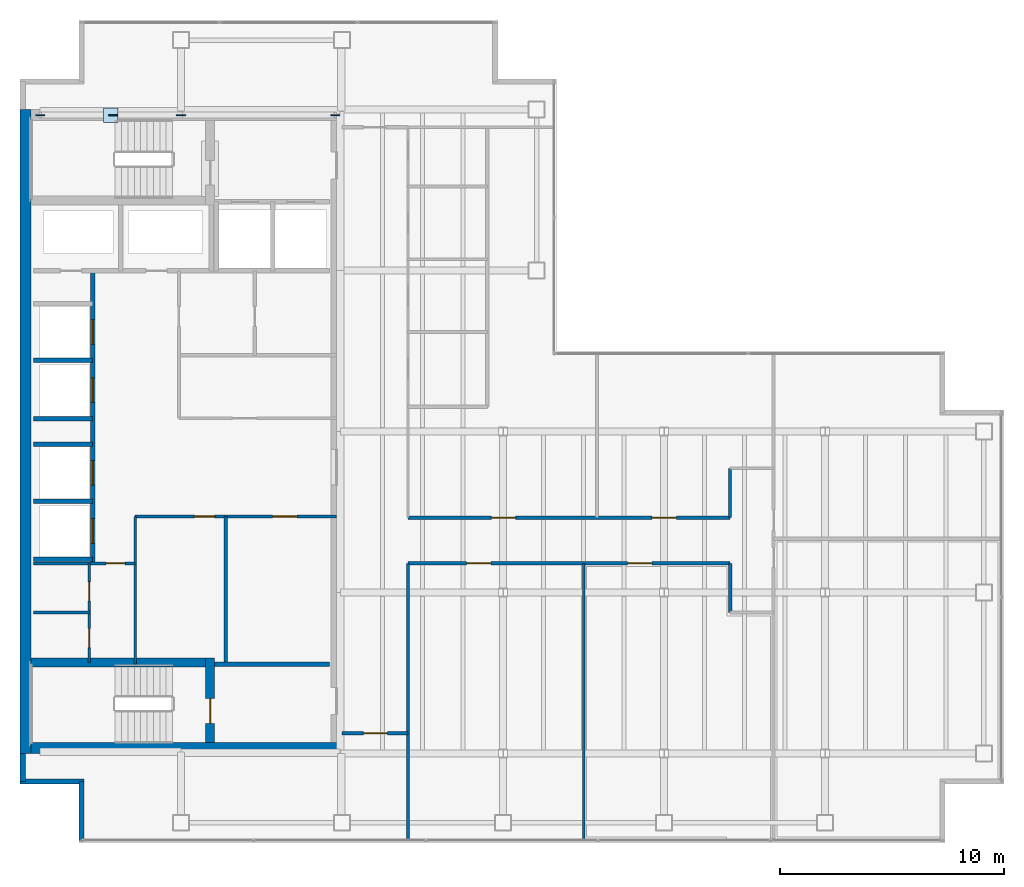
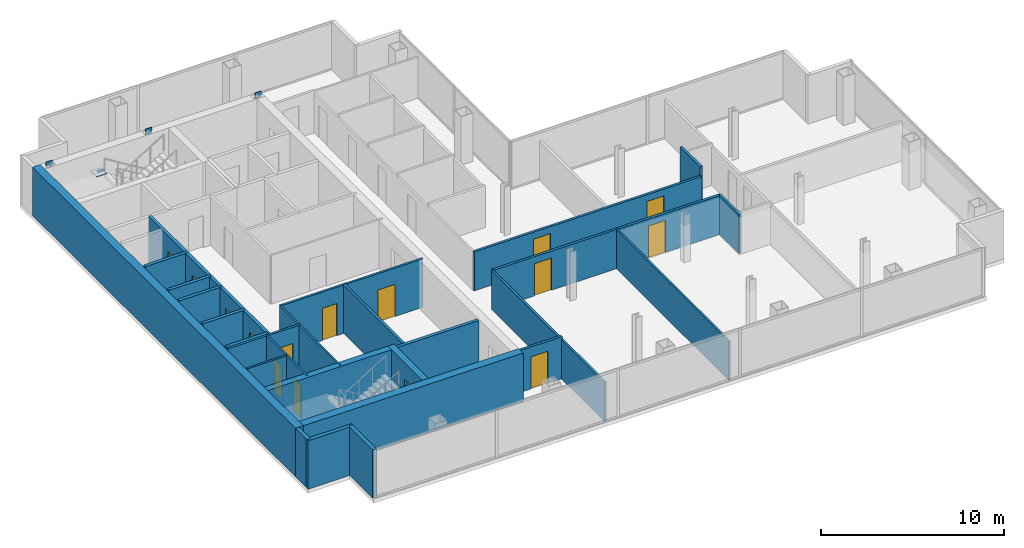
# One storey, part 20 of 23: 28 walls, 15 doors, 5 plates, 15 openings.
"""IFC4 building model written with IfcOpenShell, lengths in metres."""

from ifc_helpers import new_model, si_unit, direction, frame, frame_2d, origin, origin_2d, place, context, subcontext, project, spatial, rectangle, extrude, material, layer, layer_set, type_object, element, fill, save


model = new_model("IFC4")

# Units and contexts
model_context = context("Model", 3, precision=1e-05, world=origin(), true_north=direction((0.0, 1.0)))
body_context = subcontext(model_context, "Body", "Model", "MODEL_VIEW")
ifc_project = project(units=[si_unit("LENGTHUNIT", "METRE"), si_unit("AREAUNIT", "SQUARE_METRE"), si_unit("VOLUMEUNIT", "CUBIC_METRE"), si_unit("PLANEANGLEUNIT", "RADIAN"), si_unit("MASSUNIT", "GRAM", prefix="KILO")], contexts=[model_context])

# Site, building, storey
site_placement = place(None, origin())
site = spatial("IfcSite", under=ifc_project, at=site_placement, CompositionType="ELEMENT")
building_placement = place(site_placement, origin())
building = spatial("IfcBuilding", under=site, at=building_placement, Name="Cobrela Telecom Tower", CompositionType="ELEMENT")
storey_placement = place(building_placement, frame((0.0, 0.0, 208.25)))
storey = spatial("IfcBuildingStorey", under=building, at=storey_placement, Name="L53", CompositionType="ELEMENT", Elevation=208.25)

# Plates
ifc_material_1 = material(Name="Steel ASTM A572 Grade 50", Category="steel")
ifc_layer_1 = layer(ifc_material_1, 0.0419921875)
ifc_layer_set_1 = layer_set([ifc_layer_1], Name="Steel ASTM A572 Grade 50")
plate_type = type_object("IfcPlateType", Name="PLT-NODE-ND1", PredefinedType="USERDEFINED", material=ifc_layer_set_1)
for number, where, z_axis, x_axis, name in (
    (1, (7.199951171875, 35.75, 3.0751953125), (0.0, 0.0, 1.0), (1.0, 0.0, 0.0), "Steel node plate PLT-MBR-EXO-L53-N1-A-1"),
    (2, (4.173828125, 35.75, 1.349609375), (0.0, 0.0, 1.0), (-1.0, 0.0, 0.0), "Steel node plate PLT-MBR-EXO-L53-N1-B1-1"),
    (3, (0.89990234375, 35.75, 3.0751953125), (0.0, 0.0, 1.0), (-1.0, 0.0, 0.0), "Steel node plate PLT-MBR-EXO-L53-N1-B2-1"),
):
    element("IfcPlate", number, at=place(storey_placement, frame(where, z_axis=z_axis, x_axis=x_axis)), inside=storey, type_object=plate_type, Name=name, ObjectType="GUSSET PLATE", PredefinedType="USERDEFINED", context=body_context, shape_type="SweptSolid", body=[
        extrude(rectangle(XDim=0.409912109375, YDim=0.044921875, at=origin_2d()), origin(), (0.0, 0.0, 1.0), 0.409912109375),
    ])
plate_1_placement = place(storey_placement, frame((4.050048828125, 35.75, 1.59765625), z_axis=(0.0, 0.0, 1.0), x_axis=(1.0, 0.0, 0.0)))
element("IfcPlate", 4, at=plate_1_placement, inside=storey, type_object=plate_type, Name="L53 Core Flange Steel X-Brace Central X-Crossing Gusset Plate", ObjectType="GUSSET PLATE", PredefinedType="USERDEFINED", context=body_context, shape_type="SweptSolid", body=[
    extrude(rectangle(XDim=0.64990234375, YDim=0.64990234375, at=origin_2d()), origin(), (0.0, 0.0, 1.0), 0.044921875),
])
plate_2_placement = place(storey_placement, frame((14.10009765625, 35.75, 3.0751953125), z_axis=(0.0, 0.0, 1.0), x_axis=(1.0, 0.0, 0.0)))
element("IfcPlate", 5, at=plate_2_placement, inside=storey, type_object=plate_type, Name="Steel node plate PLT-MBR-EXO-L53-N2-1", ObjectType="GUSSET PLATE", PredefinedType="USERDEFINED", context=body_context, shape_type="SweptSolid", body=[
    extrude(rectangle(XDim=0.409912109375, YDim=0.044921875, at=origin_2d()), origin(), (0.0, 0.0, 1.0), 0.409912109375),
])

# Walls
ifc_material_2 = material(Name="Concrete C40/50", Category="concrete")
ifc_layer_2 = layer(ifc_material_2, 0.5)
ifc_layer_set_2 = layer_set([ifc_layer_2], Name="Concrete C40/50")
wall_type_1 = type_object("IfcWallType", Name="WALL-CORE-C40-500", PredefinedType="SHEAR", material=ifc_layer_set_2)
wall_1_placement = place(storey_placement, frame((0.25, 7.199951171875, 0.0), z_axis=(0.0, 0.0, 1.0), x_axis=(0.0, 1.0, 0.0)))
element("IfcWall", 6, at=wall_1_placement, inside=storey, type_object=wall_type_1, Name="L53 West Core Shear Wall", PredefinedType="SHEAR", context=body_context, shape_type="SweptSolid", body=[
    extrude(rectangle(XDim=28.800048828125, YDim=0.5, at=frame_2d((14.39990234375, 0.0))), origin(), (0.0, 0.0, 1.0), 3.239990234375),
])
wall_2_placement = place(storey_placement, frame((0.5, 7.449951171875, 0.0), z_axis=(0.0, 0.0, 1.0), x_axis=(1.0, 0.0, 0.0)))
element("IfcWall", 7, at=wall_2_placement, inside=storey, type_object=wall_type_1, Name="L53 South Core Shear Wall", PredefinedType="SHEAR", context=body_context, shape_type="SweptSolid", body=[
    extrude(rectangle(XDim=13.89990234375, YDim=0.5, at=frame_2d((6.949951171875, 0.0))), origin(), (0.0, 0.0, 1.0), 3.239990234375),
])
ifc_layer_3 = layer(ifc_material_2, 0.239990234375)
ifc_layer_set_3 = layer_set([ifc_layer_3], Name="Concrete C40/50")
wall_type_2 = type_object("IfcWallType", Name="WALL-EXT-300", PredefinedType="STANDARD", material=ifc_layer_set_3)
wall_3_placement = place(storey_placement, frame((2.75, 3.320068359375, 0.0), z_axis=(0.0, 0.0, 1.0), x_axis=(0.0, 1.0, 0.0)))
element("IfcWall", 8, at=wall_3_placement, inside=storey, type_object=wall_type_2, Name="L53 Insulated Facade Wall 01", PredefinedType="STANDARD", context=body_context, shape_type="SweptSolid", body=[
    extrude(rectangle(XDim=2.6298828125, YDim=0.239990234375, at=frame_2d((1.31494140625, 0.0))), origin(), (0.0, 0.0, 1.0), 3.239990234375),
])
wall_4_placement = place(storey_placement, frame((2.8701171875, 5.949951171875, 0.0), z_axis=(0.0, 0.0, 1.0), x_axis=(-1.0, 0.0, 0.0)))
element("IfcWall", 9, at=wall_4_placement, inside=storey, type_object=wall_type_2, Name="L53 Insulated Facade Wall 02", PredefinedType="STANDARD", context=body_context, shape_type="SweptSolid", body=[
    extrude(rectangle(XDim=2.8701171875, YDim=0.239990234375, at=frame_2d((1.43505859375, 0.0))), origin(), (0.0, 0.0, 1.0), 3.239990234375),
])
wall_5_placement = place(storey_placement, frame((0.1201171875, 5.949951171875, 0.0), z_axis=(0.0, 0.0, 1.0), x_axis=(0.0, 1.0, 0.0)))
element("IfcWall", 10, at=wall_5_placement, inside=storey, type_object=wall_type_2, Name="L53 Insulated Facade Wall 03", PredefinedType="STANDARD", context=body_context, shape_type="SweptSolid", body=[
    extrude(rectangle(XDim=1.25, YDim=0.239990234375, at=frame_2d((0.625, 0.0))), origin(), (0.0, 0.0, 1.0), 3.239990234375),
])
ifc_material_3 = material(Name="Fire-Rated Gypsum Plasterboard")
ifc_layer_4 = layer(ifc_material_3, 0.110107421875)
ifc_layer_set_4 = layer_set([ifc_layer_4], Name="Fire-Rated Gypsum Plasterboard")
wall_type_3 = type_object("IfcWallType", Name="WALL-PART-110", PredefinedType="PARTITIONING", material=ifc_layer_set_4)
wall_6_placement = place(storey_placement, frame((5.14990234375, 11.199951171875, 0.0), z_axis=(0.0, 0.0, 1.0), x_axis=(0.0, 1.0, 0.0)))
element("IfcWall", 11, at=wall_6_placement, inside=storey, type_object=wall_type_3, Name="L53 Interior Partition CW-RECM-W", PredefinedType="PARTITIONING", context=body_context, shape_type="SweptSolid", body=[
    extrude(rectangle(XDim=6.60009765625, YDim=0.110107421875, at=frame_2d((3.300048828125, 0.0))), origin(), (0.0, 0.0, 1.0), 3.239990234375),
])
wall_7_placement = place(storey_placement, frame((25.199951171875, 3.320068359375, 0.0), z_axis=(0.0, 0.0, 1.0), x_axis=(0.0, 1.0, 0.0)))
element("IfcWall", 12, at=wall_7_placement, inside=storey, type_object=wall_type_3, Name="L53 Interior Partition W-SV-1", PredefinedType="PARTITIONING", context=body_context, shape_type="SweptSolid", body=[
    extrude(rectangle(XDim=12.3798828125, YDim=0.110107421875, at=frame_2d((6.18994140625, 0.0))), origin(), (0.0, 0.0, 1.0), 2.613037109375),
])
ifc_layer_5 = layer(ifc_material_3, 0.125)
ifc_layer_set_5 = layer_set([ifc_layer_5], Name="Fire-Rated Gypsum Plasterboard")
wall_type_4 = type_object("IfcWallType", Name="WALL-PART-125", PredefinedType="PARTITIONING", material=ifc_layer_set_5)
wall_8_placement = place(storey_placement, frame((0.60009765625, 13.5, 0.0), z_axis=(0.0, 0.0, 1.0), x_axis=(1.0, 0.0, 0.0)))
element("IfcWall", 13, at=wall_8_placement, inside=storey, type_object=wall_type_4, Name="L53 Interior Partition CW-FK3-H", PredefinedType="PARTITIONING", context=body_context, shape_type="SweptSolid", body=[
    extrude(rectangle(XDim=2.5, YDim=0.125, at=frame_2d((1.25, 0.0))), origin(), (0.0, 0.0, 1.0), 3.239990234375),
])

# Wall, openings, doors
wall_9_placement = place(storey_placement, frame((3.10009765625, 11.280029296875, 0.0), z_axis=(0.0, 0.0, 1.0), x_axis=(0.0, 1.0, 0.0)))
wall_9 = element("IfcWall", 14, at=wall_9_placement, inside=storey, type_object=wall_type_4, Name="L53 Interior Partition CW-FK3-V", PredefinedType="PARTITIONING", context=body_context, shape_type="SweptSolid", body=[
    extrude(rectangle(XDim=4.419921875, YDim=0.125, at=frame_2d((2.2099609375, 0.0))), origin(), (0.0, 0.0, 1.0), 3.239990234375),
])
opening_1_placement = place(wall_9_placement, frame((0.64990234375, 0.0, 0.0)))
opening_1 = element("IfcOpeningElement", 15, at=opening_1_placement, cuts=wall_9, Name="Opening DR-11", PredefinedType="OPENING", context=body_context, shape_type="SweptSolid", body=[
    extrude(rectangle(XDim=0.85009765625, YDim=2.14990234375, at=frame_2d((0.425048828125, 1.074951171875))), frame((0.0, 0.074462890625, 0.0), z_axis=(0.0, -1.0, 0.0), x_axis=(1.0, 0.0, 0.0)), (0.0, 0.0, 1.0), 0.14892578125),
])
opening_2_placement = place(wall_9_placement, frame((2.75, 0.0, 0.0)))
opening_2 = element("IfcOpeningElement", 16, at=opening_2_placement, cuts=wall_9, Name="Opening DR-11", PredefinedType="OPENING", context=body_context, shape_type="SweptSolid", body=[
    extrude(rectangle(XDim=0.85009765625, YDim=2.14990234375, at=frame_2d((0.425048828125, 1.074951171875))), frame((0.0, 0.074462890625, 0.0), z_axis=(0.0, -1.0, 0.0), x_axis=(1.0, 0.0, 0.0)), (0.0, 0.0, 1.0), 0.14892578125),
])
ifc_material_4 = material(Name="Solid Engineered Oak Timber", Category="wood")
door_type_1 = type_object("IfcDoorType", Name="DOOR-INT-850", OperationType="SINGLE_SWING_LEFT", PredefinedType="DOOR", material=ifc_material_4)
door_1_placement = place(opening_1_placement, origin())
door_1 = element("IfcDoor", 17, at=door_1_placement, inside=storey, type_object=door_type_1, Name="L53 Door DR-11", OperationType="SINGLE_SWING_LEFT", OverallHeight=2.14990234375, OverallWidth=0.85009765625, PredefinedType="DOOR", context=body_context, shape_type="SweptSolid", body=[
    extrude(rectangle(XDim=0.85009765625, YDim=2.14990234375, at=frame_2d((0.425048828125, 1.074951171875))), frame((0.0, 0.02490234375, 0.0), z_axis=(0.0, -1.0, 0.0), x_axis=(1.0, 0.0, 0.0)), (0.0, 0.0, 1.0), 0.050048828125),
])
fill(opening_1, door_1)
door_2_placement = place(opening_2_placement, origin())
door_2 = element("IfcDoor", 18, at=door_2_placement, inside=storey, type_object=door_type_1, Name="L53 Door DR-11", OperationType="SINGLE_SWING_RIGHT", OverallHeight=2.14990234375, OverallWidth=0.85009765625, PredefinedType="DOOR", context=body_context, shape_type="SweptSolid", body=[
    extrude(rectangle(XDim=0.85009765625, YDim=2.14990234375, at=frame_2d((0.425048828125, 1.074951171875))), frame((0.0, 0.02490234375, 0.0), z_axis=(0.0, -1.0, 0.0), x_axis=(1.0, 0.0, 0.0)), (0.0, 0.0, 1.0), 0.050048828125),
])
fill(opening_2, door_2)

ifc_layer_6 = layer(ifc_material_3, 0.135009765625)
ifc_layer_set_6 = layer_set([ifc_layer_6], Name="Fire-Rated Gypsum Plasterboard")
wall_type_5 = type_object("IfcWallType", Name="WALL-PART-135", PredefinedType="PARTITIONING", material=ifc_layer_set_6)
wall_10_placement = place(storey_placement, frame((5.14990234375, 17.800048828125, 0.0), z_axis=(0.0, 0.0, 1.0), x_axis=(1.0, 0.0, 0.0)))
wall_10 = element("IfcWall", 19, at=wall_10_placement, inside=storey, type_object=wall_type_5, Name="L53 Interior Partition CW-RECM-N", PredefinedType="PARTITIONING", context=body_context, shape_type="SweptSolid", body=[
    extrude(rectangle(XDim=9.0, YDim=0.135009765625, at=frame_2d((4.5, 0.0))), origin(), (0.0, 0.0, 1.0), 3.239990234375),
])
opening_3_placement = place(wall_10_placement, frame((2.64990234375, 0.0, 0.0)))
opening_3 = element("IfcOpeningElement", 20, at=opening_3_placement, cuts=wall_10, Name="Opening DR-41", PredefinedType="OPENING", context=body_context, shape_type="SweptSolid", body=[
    extrude(rectangle(XDim=0.89990234375, YDim=2.14990234375, at=frame_2d((0.449951171875, 1.074951171875))), frame((0.0, 0.07958984375, 0.0), z_axis=(0.0, -1.0, 0.0), x_axis=(1.0, 0.0, 0.0)), (0.0, 0.0, 1.0), 0.158935546875),
])
opening_4_placement = place(wall_10_placement, frame((6.14990234375, 0.0, 0.0)))
opening_4 = element("IfcOpeningElement", 21, at=opening_4_placement, cuts=wall_10, Name="Opening DR-63", PredefinedType="OPENING", context=body_context, shape_type="SweptSolid", body=[
    extrude(rectangle(XDim=1.080078125, YDim=2.14990234375, at=frame_2d((0.5400390625, 1.074951171875))), frame((0.0, 0.07958984375, 0.0), z_axis=(0.0, -1.0, 0.0), x_axis=(1.0, 0.0, 0.0)), (0.0, 0.0, 1.0), 0.158935546875),
])
door_type_2 = type_object("IfcDoorType", Name="DOOR-INT-1080", OperationType="SINGLE_SWING_LEFT", PredefinedType="DOOR", material=ifc_material_4)
door_3_placement = place(opening_4_placement, origin())
door_3 = element("IfcDoor", 22, at=door_3_placement, inside=storey, type_object=door_type_2, Name="L53 Door DR-63", OperationType="SINGLE_SWING_RIGHT", OverallHeight=2.14990234375, OverallWidth=1.080078125, PredefinedType="DOOR", context=body_context, shape_type="SweptSolid", body=[
    extrude(rectangle(XDim=1.080078125, YDim=2.14990234375, at=frame_2d((0.5400390625, 1.074951171875))), frame((0.0, 0.02490234375, 0.0), z_axis=(0.0, -1.0, 0.0), x_axis=(1.0, 0.0, 0.0)), (0.0, 0.0, 1.0), 0.050048828125),
])
fill(opening_4, door_3)
door_type_3 = type_object("IfcDoorType", Name="DOOR-INT-900", OperationType="SINGLE_SWING_LEFT", PredefinedType="DOOR", material=ifc_material_4)
door_4_placement = place(opening_3_placement, origin())
door_4 = element("IfcDoor", 23, at=door_4_placement, inside=storey, type_object=door_type_3, Name="L53 Door DR-41", OperationType="SINGLE_SWING_LEFT", OverallHeight=2.14990234375, OverallWidth=0.89990234375, PredefinedType="DOOR", context=body_context, shape_type="SweptSolid", body=[
    extrude(rectangle(XDim=0.89990234375, YDim=2.14990234375, at=frame_2d((0.449951171875, 1.074951171875))), frame((0.0, 0.02490234375, 0.0), z_axis=(0.0, -1.0, 0.0), x_axis=(1.0, 0.0, 0.0)), (0.0, 0.0, 1.0), 0.050048828125),
])
fill(opening_3, door_4)

# Walls
wall_11_placement = place(storey_placement, frame((17.35009765625, 8.10009765625, 0.0), z_axis=(0.0, 0.0, 1.0), x_axis=(0.0, 1.0, 0.0)))
element("IfcWall", 24, at=wall_11_placement, inside=storey, type_object=wall_type_5, Name="L53 Interior Partition W-C-E1", PredefinedType="PARTITIONING", context=body_context, shape_type="SweptSolid", body=[
    extrude(rectangle(XDim=7.599853515625, YDim=0.135009765625, at=frame_2d((3.7998046875, 0.0))), origin(), (0.0, 0.0, 1.0), 2.613037109375),
])
wall_12_placement = place(storey_placement, frame((17.35009765625, 3.320068359375, 0.0), z_axis=(0.0, 0.0, 1.0), x_axis=(0.0, 1.0, 0.0)))
element("IfcWall", 25, at=wall_12_placement, inside=storey, type_object=wall_type_5, Name="L53 Interior Partition W-SW-E", PredefinedType="PARTITIONING", context=body_context, shape_type="SweptSolid", body=[
    extrude(rectangle(XDim=4.780029296875, YDim=0.135009765625, at=frame_2d((2.39013671875, 0.0))), origin(), (0.0, 0.0, 1.0), 2.613037109375),
])

# Wall, opening, door
ifc_layer_7 = layer(ifc_material_3, 0.14990234375)
ifc_layer_set_7 = layer_set([ifc_layer_7], Name="Fire-Rated Gypsum Plasterboard")
wall_type_6 = type_object("IfcWallType", Name="WALL-PART-150", PredefinedType="PARTITIONING", material=ifc_layer_set_7)
wall_13_placement = place(storey_placement, frame((0.60009765625, 15.699951171875, 0.0), z_axis=(0.0, 0.0, 1.0), x_axis=(1.0, 0.0, 0.0)))
wall_13 = element("IfcWall", 26, at=wall_13_placement, inside=storey, type_object=wall_type_6, Name="L53 Interior Partition CW-FLEX-N", PredefinedType="PARTITIONING", context=body_context, shape_type="SweptSolid", body=[
    extrude(rectangle(XDim=4.5498046875, YDim=0.14990234375, at=frame_2d((2.27490234375, 0.0))), origin(), (0.0, 0.0, 1.0), 3.239990234375),
])
opening_5_placement = place(wall_13_placement, frame((3.25, 0.0, 0.0)))
opening_5 = element("IfcOpeningElement", 27, at=opening_5_placement, cuts=wall_13, Name="Opening DR-11", PredefinedType="OPENING", context=body_context, shape_type="SweptSolid", body=[
    extrude(rectangle(XDim=0.85009765625, YDim=2.14990234375, at=frame_2d((0.425048828125, 1.074951171875))), frame((0.0, 0.0869140625, 0.0), z_axis=(0.0, -1.0, 0.0), x_axis=(1.0, 0.0, 0.0)), (0.0, 0.0, 1.0), 0.173828125),
])
door_5_placement = place(opening_5_placement, origin())
door_5 = element("IfcDoor", 28, at=door_5_placement, inside=storey, type_object=door_type_1, Name="L53 Door DR-11", OperationType="SINGLE_SWING_LEFT", OverallHeight=2.14990234375, OverallWidth=0.85009765625, PredefinedType="DOOR", context=body_context, shape_type="SweptSolid", body=[
    extrude(rectangle(XDim=0.85009765625, YDim=2.14990234375, at=frame_2d((0.425048828125, 1.074951171875))), frame((0.0, 0.02490234375, 0.0), z_axis=(0.0, -1.0, 0.0), x_axis=(1.0, 0.0, 0.0)), (0.0, 0.0, 1.0), 0.050048828125),
])
fill(opening_5, door_5)

# Wall, openings, doors
wall_14_placement = place(storey_placement, frame((17.35009765625, 17.75, 0.0), z_axis=(0.0, 0.0, 1.0), x_axis=(1.0, 0.0, 0.0)))
wall_14 = element("IfcWall", 29, at=wall_14_placement, inside=storey, type_object=wall_type_6, Name="L53 Interior Partition W-C-HN", PredefinedType="PARTITIONING", context=body_context, shape_type="SweptSolid", body=[
    extrude(rectangle(XDim=14.39990234375, YDim=0.14990234375, at=frame_2d((7.199951171875, 0.0))), origin(), (0.0, 0.0, 1.0), 2.613037109375),
])
opening_6_placement = place(wall_14_placement, frame((3.72998046875, 0.0, 0.0)))
opening_6 = element("IfcOpeningElement", 30, at=opening_6_placement, cuts=wall_14, Name="Opening DR-63", PredefinedType="OPENING", context=body_context, shape_type="SweptSolid", body=[
    extrude(rectangle(XDim=1.080078125, YDim=2.14990234375, at=frame_2d((0.5400390625, 1.074951171875))), frame((0.0, 0.0869140625, 0.0), z_axis=(0.0, -1.0, 0.0), x_axis=(1.0, 0.0, 0.0)), (0.0, 0.0, 1.0), 0.173828125),
])
opening_7_placement = place(wall_14_placement, frame((10.919921875, 0.0, 0.0)))
opening_7 = element("IfcOpeningElement", 31, at=opening_7_placement, cuts=wall_14, Name="Opening DR-63", PredefinedType="OPENING", context=body_context, shape_type="SweptSolid", body=[
    extrude(rectangle(XDim=1.080078125, YDim=2.14990234375, at=frame_2d((0.5400390625, 1.074951171875))), frame((0.0, 0.0869140625, 0.0), z_axis=(0.0, -1.0, 0.0), x_axis=(1.0, 0.0, 0.0)), (0.0, 0.0, 1.0), 0.173828125),
])
door_6_placement = place(opening_6_placement, origin())
door_6 = element("IfcDoor", 32, at=door_6_placement, inside=storey, type_object=door_type_2, Name="L53 Door DR-63", OperationType="SINGLE_SWING_LEFT", OverallHeight=2.14990234375, OverallWidth=1.080078125, PredefinedType="DOOR", context=body_context, shape_type="SweptSolid", body=[
    extrude(rectangle(XDim=1.080078125, YDim=2.14990234375, at=frame_2d((0.5400390625, 1.074951171875))), frame((0.0, 0.02490234375, 0.0), z_axis=(0.0, -1.0, 0.0), x_axis=(1.0, 0.0, 0.0)), (0.0, 0.0, 1.0), 0.050048828125),
])
fill(opening_6, door_6)
door_7_placement = place(opening_7_placement, origin())
door_7 = element("IfcDoor", 33, at=door_7_placement, inside=storey, type_object=door_type_2, Name="L53 Door DR-63", OperationType="SINGLE_SWING_RIGHT", OverallHeight=2.14990234375, OverallWidth=1.080078125, PredefinedType="DOOR", context=body_context, shape_type="SweptSolid", body=[
    extrude(rectangle(XDim=1.080078125, YDim=2.14990234375, at=frame_2d((0.5400390625, 1.074951171875))), frame((0.0, 0.02490234375, 0.0), z_axis=(0.0, -1.0, 0.0), x_axis=(1.0, 0.0, 0.0)), (0.0, 0.0, 1.0), 0.050048828125),
])
fill(opening_7, door_7)

# Walls
wall_15_placement = place(storey_placement, frame((31.75, 17.75, 0.0), z_axis=(0.0, 0.0, 1.0), x_axis=(0.0, 1.0, 0.0)))
element("IfcWall", 34, at=wall_15_placement, inside=storey, type_object=wall_type_6, Name="L53 Interior Partition W-CT-JW2", PredefinedType="PARTITIONING", context=body_context, shape_type="SweptSolid", body=[
    extrude(rectangle(XDim=2.199951171875, YDim=0.14990234375, at=frame_2d((1.10009765625, 0.0))), origin(), (0.0, 0.0, 1.0), 3.239990234375),
])
ifc_layer_8 = layer(ifc_material_3, 0.159912109375)
ifc_layer_set_8 = layer_set([ifc_layer_8], Name="Fire-Rated Gypsum Plasterboard")
wall_type_7 = type_object("IfcWallType", Name="WALL-PART-160", PredefinedType="PARTITIONING", material=ifc_layer_set_8)
wall_16_placement = place(storey_placement, frame((9.199951171875, 11.199951171875, 0.0), z_axis=(0.0, 0.0, 1.0), x_axis=(0.0, 1.0, 0.0)))
element("IfcWall", 35, at=wall_16_placement, inside=storey, type_object=wall_type_7, Name="L53 Interior Partition CW-RECM-V", PredefinedType="PARTITIONING", context=body_context, shape_type="SweptSolid", body=[
    extrude(rectangle(XDim=6.60009765625, YDim=0.159912109375, at=frame_2d((3.300048828125, 0.0))), origin(), (0.0, 0.0, 1.0), 3.239990234375),
])

# Wall, opening, door
wall_17_placement = place(storey_placement, frame((14.39990234375, 8.10009765625, 0.0), z_axis=(0.0, 0.0, 1.0), x_axis=(1.0, 0.0, 0.0)))
wall_17 = element("IfcWall", 36, at=wall_17_placement, inside=storey, type_object=wall_type_7, Name="L53 Interior Partition W-C-S0", PredefinedType="PARTITIONING", context=body_context, shape_type="SweptSolid", body=[
    extrude(rectangle(XDim=2.9501953125, YDim=0.159912109375, at=frame_2d((1.47509765625, 0.0))), origin(), (0.0, 0.0, 1.0), 2.80810546875),
])
opening_8_placement = place(wall_17_placement, frame((0.949951171875, 0.0, 0.0)))
opening_8 = element("IfcOpeningElement", 37, at=opening_8_placement, cuts=wall_17, Name="Opening DR-63", PredefinedType="OPENING", context=body_context, shape_type="SweptSolid", body=[
    extrude(rectangle(XDim=1.080078125, YDim=2.14990234375, at=frame_2d((0.5400390625, 1.074951171875))), frame((0.0, 0.091796875, 0.0), z_axis=(0.0, -1.0, 0.0), x_axis=(1.0, 0.0, 0.0)), (0.0, 0.0, 1.0), 0.183837890625),
])
door_8_placement = place(opening_8_placement, origin())
door_8 = element("IfcDoor", 38, at=door_8_placement, inside=storey, type_object=door_type_2, Name="L53 Door DR-63", OperationType="SINGLE_SWING_RIGHT", OverallHeight=2.14990234375, OverallWidth=1.080078125, PredefinedType="DOOR", context=body_context, shape_type="SweptSolid", body=[
    extrude(rectangle(XDim=1.080078125, YDim=2.14990234375, at=frame_2d((0.5400390625, 1.074951171875))), frame((0.0, 0.02490234375, 0.0), z_axis=(0.0, -1.0, 0.0), x_axis=(1.0, 0.0, 0.0)), (0.0, 0.0, 1.0), 0.050048828125),
])
fill(opening_8, door_8)

# Wall, openings, doors
wall_18_placement = place(storey_placement, frame((17.35009765625, 15.699951171875, 0.0), z_axis=(0.0, 0.0, 1.0), x_axis=(1.0, 0.0, 0.0)))
wall_18 = element("IfcWall", 39, at=wall_18_placement, inside=storey, type_object=wall_type_7, Name="L53 Interior Partition W-C-HS", PredefinedType="PARTITIONING", context=body_context, shape_type="SweptSolid", body=[
    extrude(rectangle(XDim=14.39990234375, YDim=0.159912109375, at=frame_2d((7.199951171875, 0.0))), origin(), (0.0, 0.0, 1.0), 2.613037109375),
])
opening_9_placement = place(wall_18_placement, frame((2.6201171875, 0.0, 0.0)))
opening_9 = element("IfcOpeningElement", 40, at=opening_9_placement, cuts=wall_18, Name="Opening DR-63", PredefinedType="OPENING", context=body_context, shape_type="SweptSolid", body=[
    extrude(rectangle(XDim=1.080078125, YDim=2.14990234375, at=frame_2d((0.5400390625, 1.074951171875))), frame((0.0, 0.091796875, 0.0), z_axis=(0.0, -1.0, 0.0), x_axis=(1.0, 0.0, 0.0)), (0.0, 0.0, 1.0), 0.183837890625),
])
opening_10_placement = place(wall_18_placement, frame((9.820068359375, 0.0, 0.0)))
opening_10 = element("IfcOpeningElement", 41, at=opening_10_placement, cuts=wall_18, Name="Opening DR-63", PredefinedType="OPENING", context=body_context, shape_type="SweptSolid", body=[
    extrude(rectangle(XDim=1.080078125, YDim=2.14990234375, at=frame_2d((0.5400390625, 1.074951171875))), frame((0.0, 0.091796875, 0.0), z_axis=(0.0, -1.0, 0.0), x_axis=(1.0, 0.0, 0.0)), (0.0, 0.0, 1.0), 0.183837890625),
])
door_9_placement = place(opening_9_placement, origin())
door_9 = element("IfcDoor", 42, at=door_9_placement, inside=storey, type_object=door_type_2, Name="L53 Door DR-63", OperationType="SINGLE_SWING_LEFT", OverallHeight=2.14990234375, OverallWidth=1.080078125, PredefinedType="DOOR", context=body_context, shape_type="SweptSolid", body=[
    extrude(rectangle(XDim=1.080078125, YDim=2.14990234375, at=frame_2d((0.5400390625, 1.074951171875))), frame((0.0, 0.02490234375, 0.0), z_axis=(0.0, -1.0, 0.0), x_axis=(1.0, 0.0, 0.0)), (0.0, 0.0, 1.0), 0.050048828125),
])
fill(opening_9, door_9)
door_10_placement = place(opening_10_placement, origin())
door_10 = element("IfcDoor", 43, at=door_10_placement, inside=storey, type_object=door_type_2, Name="L53 Door DR-63", OperationType="SINGLE_SWING_RIGHT", OverallHeight=2.14990234375, OverallWidth=1.080078125, PredefinedType="DOOR", context=body_context, shape_type="SweptSolid", body=[
    extrude(rectangle(XDim=1.080078125, YDim=2.14990234375, at=frame_2d((0.5400390625, 1.074951171875))), frame((0.0, 0.02490234375, 0.0), z_axis=(0.0, -1.0, 0.0), x_axis=(1.0, 0.0, 0.0)), (0.0, 0.0, 1.0), 0.050048828125),
])
fill(opening_10, door_10)

# Walls
wall_19_placement = place(storey_placement, frame((31.75, 13.5, 0.0), z_axis=(0.0, 0.0, 1.0), x_axis=(0.0, 1.0, 0.0)))
element("IfcWall", 44, at=wall_19_placement, inside=storey, type_object=wall_type_7, Name="L53 Interior Partition W-CT-JW1", PredefinedType="PARTITIONING", context=body_context, shape_type="SweptSolid", body=[
    extrude(rectangle(XDim=2.199951171875, YDim=0.159912109375, at=frame_2d((1.10009765625, 0.0))), origin(), (0.0, 0.0, 1.0), 2.613037109375),
])
ifc_layer_9 = layer(ifc_material_3, 0.199951171875)
ifc_layer_set_9 = layer_set([ifc_layer_9], Name="Fire-Rated Gypsum Plasterboard")
wall_type_8 = type_object("IfcWallType", Name="WALL-SHAFT-200", PredefinedType="PARTITIONING", material=ifc_layer_set_9)
wall_20_placement = place(storey_placement, frame((8.699951171875, 11.199951171875, 0.0), z_axis=(0.0, 0.0, 1.0), x_axis=(1.0, 0.0, 0.0)))
element("IfcWall", 45, at=wall_20_placement, inside=storey, type_object=wall_type_8, Name="L53 Shaft Enclosure CW-ST2L-N", PredefinedType="PARTITIONING", context=body_context, shape_type="SweptSolid", body=[
    extrude(rectangle(XDim=5.150146484375, YDim=0.199951171875, at=frame_2d((2.5751953125, 0.0))), origin(), (0.0, 0.0, 1.0), 3.239990234375),
])

# Wall, openings, doors
wall_21_placement = place(storey_placement, frame((3.25, 15.699951171875, 0.0), z_axis=(0.0, 0.0, 1.0), x_axis=(0.0, 1.0, 0.0)))
wall_21 = element("IfcWall", 46, at=wall_21_placement, inside=storey, type_object=wall_type_8, Name="L53 Shaft Enclosure CW-PLH-E", PredefinedType="PARTITIONING", context=body_context, shape_type="SweptSolid", body=[
    extrude(rectangle(XDim=13.080078125, YDim=0.199951171875, at=frame_2d((6.5400390625, 0.0))), origin(), (0.0, 0.0, 1.0), 3.239990234375),
])
opening_11_placement = place(wall_21_placement, frame((0.89990234375, 0.0, 0.0)))
opening_11 = element("IfcOpeningElement", 47, at=opening_11_placement, cuts=wall_21, Name="Opening LD-1", PredefinedType="OPENING", context=body_context, shape_type="SweptSolid", body=[
    extrude(rectangle(XDim=1.10009765625, YDim=2.199951171875, at=frame_2d((0.550048828125, 1.10009765625))), frame((0.0, 0.11181640625, 0.0), z_axis=(0.0, -1.0, 0.0), x_axis=(1.0, 0.0, 0.0)), (0.0, 0.0, 1.0), 0.223876953125),
])
opening_12_placement = place(wall_21_placement, frame((3.5, 0.0, 0.0)))
opening_12 = element("IfcOpeningElement", 48, at=opening_12_placement, cuts=wall_21, Name="Opening LD-1", PredefinedType="OPENING", context=body_context, shape_type="SweptSolid", body=[
    extrude(rectangle(XDim=1.10009765625, YDim=2.199951171875, at=frame_2d((0.550048828125, 1.10009765625))), frame((0.0, 0.11181640625, 0.0), z_axis=(0.0, -1.0, 0.0), x_axis=(1.0, 0.0, 0.0)), (0.0, 0.0, 1.0), 0.223876953125),
])
opening_13_placement = place(wall_21_placement, frame((7.199951171875, 0.0, 0.0)))
opening_13 = element("IfcOpeningElement", 49, at=opening_13_placement, cuts=wall_21, Name="Opening LD-1", PredefinedType="OPENING", context=body_context, shape_type="SweptSolid", body=[
    extrude(rectangle(XDim=1.10009765625, YDim=2.199951171875, at=frame_2d((0.550048828125, 1.10009765625))), frame((0.0, 0.11181640625, 0.0), z_axis=(0.0, -1.0, 0.0), x_axis=(1.0, 0.0, 0.0)), (0.0, 0.0, 1.0), 0.223876953125),
])
opening_14_placement = place(wall_21_placement, frame((9.800048828125, 0.0, 0.0)))
opening_14 = element("IfcOpeningElement", 50, at=opening_14_placement, cuts=wall_21, Name="Opening LD-1", PredefinedType="OPENING", context=body_context, shape_type="SweptSolid", body=[
    extrude(rectangle(XDim=1.10009765625, YDim=2.199951171875, at=frame_2d((0.550048828125, 1.10009765625))), frame((0.0, 0.11181640625, 0.0), z_axis=(0.0, -1.0, 0.0), x_axis=(1.0, 0.0, 0.0)), (0.0, 0.0, 1.0), 0.223876953125),
])
ifc_material_5 = material(Name="Steel ASTM A36", Category="steel")
door_type_4 = type_object("IfcDoorType", Name="DOOR-LD-PL", OperationType="SINGLE_SWING_LEFT", PredefinedType="DOOR", material=ifc_material_5)
door_11_placement = place(opening_11_placement, origin())
door_11 = element("IfcDoor", 51, at=door_11_placement, inside=storey, type_object=door_type_4, Name="L53 Lift Landing Door LD-1", OperationType="DOUBLE_DOOR_SLIDING", OverallHeight=2.199951171875, OverallWidth=1.10009765625, PredefinedType="DOOR", context=body_context, shape_type="SweptSolid", body=[
    extrude(rectangle(XDim=1.10009765625, YDim=2.199951171875, at=frame_2d((0.550048828125, 1.10009765625))), frame((0.0, 0.02490234375, 0.0), z_axis=(0.0, -1.0, 0.0), x_axis=(1.0, 0.0, 0.0)), (0.0, 0.0, 1.0), 0.050048828125),
])
fill(opening_11, door_11)
door_12_placement = place(opening_12_placement, origin())
door_12 = element("IfcDoor", 52, at=door_12_placement, inside=storey, type_object=door_type_4, Name="L53 Lift Landing Door LD-1", OperationType="DOUBLE_DOOR_SLIDING", OverallHeight=2.199951171875, OverallWidth=1.10009765625, PredefinedType="DOOR", context=body_context, shape_type="SweptSolid", body=[
    extrude(rectangle(XDim=1.10009765625, YDim=2.199951171875, at=frame_2d((0.550048828125, 1.10009765625))), frame((0.0, 0.02490234375, 0.0), z_axis=(0.0, -1.0, 0.0), x_axis=(1.0, 0.0, 0.0)), (0.0, 0.0, 1.0), 0.050048828125),
])
fill(opening_12, door_12)
door_13_placement = place(opening_13_placement, origin())
door_13 = element("IfcDoor", 53, at=door_13_placement, inside=storey, type_object=door_type_4, Name="L53 Lift Landing Door LD-1", OperationType="DOUBLE_DOOR_SLIDING", OverallHeight=2.199951171875, OverallWidth=1.10009765625, PredefinedType="DOOR", context=body_context, shape_type="SweptSolid", body=[
    extrude(rectangle(XDim=1.10009765625, YDim=2.199951171875, at=frame_2d((0.550048828125, 1.10009765625))), frame((0.0, 0.02490234375, 0.0), z_axis=(0.0, -1.0, 0.0), x_axis=(1.0, 0.0, 0.0)), (0.0, 0.0, 1.0), 0.050048828125),
])
fill(opening_13, door_13)
door_14_placement = place(opening_14_placement, origin())
door_14 = element("IfcDoor", 54, at=door_14_placement, inside=storey, type_object=door_type_4, Name="L53 Lift Landing Door LD-1", OperationType="DOUBLE_DOOR_SLIDING", OverallHeight=2.199951171875, OverallWidth=1.10009765625, PredefinedType="DOOR", context=body_context, shape_type="SweptSolid", body=[
    extrude(rectangle(XDim=1.10009765625, YDim=2.199951171875, at=frame_2d((0.550048828125, 1.10009765625))), frame((0.0, 0.02490234375, 0.0), z_axis=(0.0, -1.0, 0.0), x_axis=(1.0, 0.0, 0.0)), (0.0, 0.0, 1.0), 0.050048828125),
])
fill(opening_14, door_14)

# Walls
for number, where, z_axis, x_axis, name in (
    (55, (0.60009765625, 15.8798828125, 0.0), (0.0, 0.0, 1.0), (1.0, 0.0, 0.0), "L53 Shaft Enclosure CW-PLH-D9"),
    (56, (0.60009765625, 18.47998046875, 0.0), (0.0, 0.0, 1.0), (1.0, 0.0, 0.0), "L53 Shaft Enclosure CW-PLH-D10"),
    (57, (0.60009765625, 22.179931640625, 0.0), (0.0, 0.0, 1.0), (1.0, 0.0, 0.0), "L53 Shaft Enclosure CW-PLH-D11"),
    (58, (0.60009765625, 24.780029296875, 0.0), (0.0, 0.0, 1.0), (1.0, 0.0, 0.0), "L53 Shaft Enclosure CW-PLH-D12"),
    (59, (0.60009765625, 21.02001953125, 0.0), (0.0, 0.0, 1.0), (1.0, 0.0, 0.0), "L53 Shaft Enclosure CW-PLH-MID"),
):
    element("IfcWall", number, at=place(storey_placement, frame(where, z_axis=z_axis, x_axis=x_axis)), inside=storey, type_object=wall_type_8, Name=name, PredefinedType="PARTITIONING", context=body_context, shape_type="SweptSolid", body=[
        extrude(rectangle(XDim=2.64990234375, YDim=0.199951171875, at=frame_2d((1.324951171875, 0.0))), origin(), (0.0, 0.0, 1.0), 3.239990234375),
    ])
ifc_layer_10 = layer(ifc_material_2, 0.39990234375)
ifc_layer_set_10 = layer_set([ifc_layer_10], Name="Concrete C40/50")
wall_type_9 = type_object("IfcWallType", Name="WALL-SHAFT-C40-400", PredefinedType="SHEAR", material=ifc_layer_set_10)
wall_22_placement = place(storey_placement, frame((0.5, 11.280029296875, 0.0), z_axis=(0.0, 0.0, 1.0), x_axis=(1.0, 0.0, 0.0)))
element("IfcWall", 60, at=wall_22_placement, inside=storey, type_object=wall_type_9, Name="L53 South Stair Shear Wall", PredefinedType="SHEAR", context=body_context, shape_type="SweptSolid", body=[
    extrude(rectangle(XDim=7.800048828125, YDim=0.39990234375, at=frame_2d((3.89990234375, 0.0))), origin(), (0.0, 0.0, 1.0), 3.239990234375),
])

# Wall, opening, door
wall_23_placement = place(storey_placement, frame((8.5, 7.699951171875, 0.0), z_axis=(0.0, 0.0, 1.0), x_axis=(0.0, 1.0, 0.0)))
wall_23 = element("IfcWall", 61, at=wall_23_placement, inside=storey, type_object=wall_type_9, Name="L53 South Stair Lobby Shear Wall", PredefinedType="SHEAR", context=body_context, shape_type="SweptSolid", body=[
    extrude(rectangle(XDim=3.780029296875, YDim=0.39990234375, at=frame_2d((1.89013671875, 0.0))), origin(), (0.0, 0.0, 1.0), 3.239990234375),
])
opening_15_placement = place(wall_23_placement, frame((0.85009765625, 0.0, 0.0)))
opening_15 = element("IfcOpeningElement", 62, at=opening_15_placement, cuts=wall_23, Name="Opening FD-90", PredefinedType="OPENING", context=body_context, shape_type="SweptSolid", body=[
    extrude(rectangle(XDim=1.10009765625, YDim=2.14990234375, at=frame_2d((0.550048828125, 1.074951171875))), frame((0.0, 0.2119140625, 0.0), z_axis=(0.0, -1.0, 0.0), x_axis=(1.0, 0.0, 0.0)), (0.0, 0.0, 1.0), 0.423828125),
])
door_type_5 = type_object("IfcDoorType", Name="DOOR-FD90-1100", OperationType="SINGLE_SWING_LEFT", PredefinedType="DOOR", material=ifc_material_5)
door_15_placement = place(opening_15_placement, origin())
door_15 = element("IfcDoor", 63, at=door_15_placement, inside=storey, type_object=door_type_5, Name="L53 Door FD-90", OperationType="SINGLE_SWING_LEFT", OverallHeight=2.14990234375, OverallWidth=1.10009765625, PredefinedType="DOOR", context=body_context, shape_type="SweptSolid", body=[
    extrude(rectangle(XDim=1.10009765625, YDim=2.14990234375, at=frame_2d((0.550048828125, 1.074951171875))), frame((0.0, 0.02490234375, 0.0), z_axis=(0.0, -1.0, 0.0), x_axis=(1.0, 0.0, 0.0)), (0.0, 0.0, 1.0), 0.050048828125),
])
fill(opening_15, door_15)

save(model, "model.ifc")
